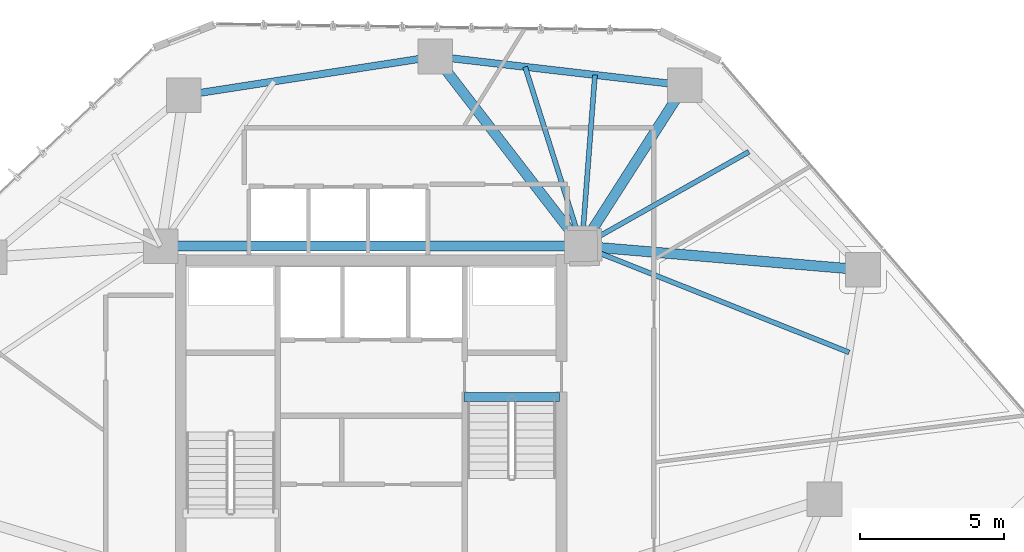
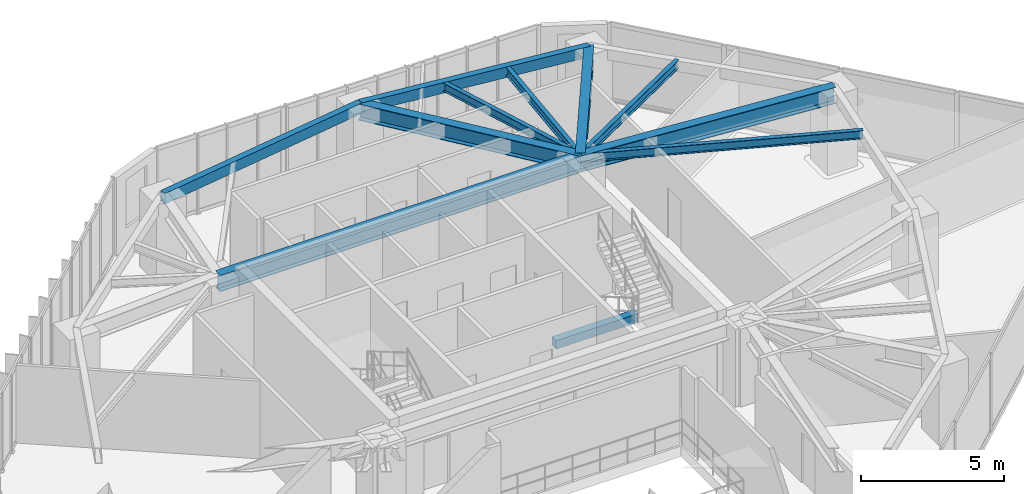
# One storey, part 11 of 22: 11 beams.
"""IFC4 building model written with IfcOpenShell, lengths in metres."""

from ifc_helpers import new_model, si_unit, direction, frame, origin, origin_2d, place, context, subcontext, project, spatial, rectangle, hollow_rectangle, i_section, extrude, material, material_profile, profile_set, type_object, element, save


model = new_model("IFC4")

# Units and contexts
model_context = context("Model", 3, precision=1e-05, world=origin(), true_north=direction((0.0, 1.0)))
body_context = subcontext(model_context, "Body", "Model", "MODEL_VIEW")
ifc_project = project(units=[si_unit("LENGTHUNIT", "METRE"), si_unit("AREAUNIT", "SQUARE_METRE"), si_unit("VOLUMEUNIT", "CUBIC_METRE"), si_unit("PLANEANGLEUNIT", "RADIAN"), si_unit("MASSUNIT", "GRAM", prefix="KILO")], contexts=[model_context])

# Site, building, storey
site_placement = place(None, origin())
site = spatial("IfcSite", under=ifc_project, at=site_placement, CompositionType="ELEMENT")
building_placement = place(site_placement, origin())
building = spatial("IfcBuilding", under=site, at=building_placement, Name="Talar Marvaseh", CompositionType="ELEMENT")
storey_placement = place(building_placement, frame((0.0, 0.0, 89.39990234375)))
storey = spatial("IfcBuildingStorey", under=building, at=storey_placement, Name="L22", CompositionType="ELEMENT", Elevation=89.39990234375)

# Beams
ifc_material_1 = material(Name="Concrete C40/50", Category="concrete")
ifc_material_profile_1 = material_profile(ifc_material_1, rectangle(XDim=0.300048828125, YDim=0.360107421875, at=origin_2d()), Name="RC300x360")
ifc_profile_set_1 = profile_set([ifc_material_profile_1], Name="Concrete C40/50")
beam_type_1 = type_object("IfcBeamType", Name="Concrete Stair Landing Trimmer Beam RC300x360", PredefinedType="SPANDREL", material=ifc_profile_set_1)
beam_1_placement = place(storey_placement, frame((29.219970703125, 31.669921875, -0.179931640625), z_axis=(1.0, 0.0, 0.0), x_axis=(0.0, 1.0, 0.0)))
element("IfcBeam", 1, at=beam_1_placement, inside=storey, type_object=beam_type_1, Name="L22 ST-2 Stair Nosing Trimmer Beam", PredefinedType="SPANDREL", context=body_context, shape_type="SweptSolid", body=[
    extrude(rectangle(XDim=0.300048828125, YDim=0.360107421875, at=origin_2d()), origin(), (0.0, 0.0, 1.0), 3.300048828125),
])
ifc_material_2 = material(Name="Steel S355", Category="steel")
ifc_material_profile_2 = material_profile(ifc_material_2, hollow_rectangle(XDim=0.25, YDim=0.449951171875, WallThickness=0.01611328125, at=origin_2d()), Name="RHS450x250x16")
ifc_profile_set_2 = profile_set([ifc_material_profile_2], Name="Steel S355")
beam_type_2 = type_object("IfcBeamType", Name="Zone 2 Perimeter Spandrel Beam RHS450x250x16", PredefinedType="SPANDREL", material=ifc_profile_set_2)
beam_2_placement = place(storey_placement, frame((19.5009765625, 42.123046875, 3.085205078125), z_axis=(0.988248879948, 0.152853365295, 0.0), x_axis=(-0.152853365295, 0.988248879948, 0.0)))
element("IfcBeam", 2, at=beam_2_placement, inside=storey, type_object=beam_type_2, Name="L22 Zone 2 Perimeter Spandrel Beam RHS450x250x16", PredefinedType="SPANDREL", context=body_context, shape_type="SweptSolid", body=[
    extrude(hollow_rectangle(XDim=0.25, YDim=0.449951171875, WallThickness=0.01611328125, at=origin_2d()), origin(), (0.0, 0.0, 1.0), 8.82470703125),
])
beam_3_placement = place(storey_placement, frame((28.221923828125, 43.471923828125, 3.085205078125), z_axis=(0.993361914569, -0.115030894474, 0.0), x_axis=(0.115030894474, 0.993361914569, 0.0)))
element("IfcBeam", 3, at=beam_3_placement, inside=storey, type_object=beam_type_2, Name="L22 Zone 2 Perimeter Spandrel Beam RHS450x250x16", PredefinedType="SPANDREL", context=body_context, shape_type="SweptSolid", body=[
    extrude(hollow_rectangle(XDim=0.25, YDim=0.449951171875, WallThickness=0.01611328125, at=origin_2d()), origin(), (0.0, 0.0, 1.0), 8.701904296875),
])
ifc_material_profile_3 = material_profile(ifc_material_2, i_section(OverallWidth=0.35498046875, OverallDepth=0.695068359375, WebThickness=0.015380859375, FlangeThickness=0.02490234375, at=origin_2d()), Name="W690x217")
ifc_profile_set_3 = profile_set([ifc_material_profile_3], Name="Steel S355")
beam_type_3 = type_object("IfcBeamType", Name="Zone 2 Radial Floor Girder W690x217", PredefinedType="BEAM", material=ifc_profile_set_3)
beam_4_placement = place(storey_placement, frame((18.699951171875, 36.89990234375, 2.962646484375), z_axis=(1.0, 0.0, 0.0), x_axis=(0.0, 1.0, 0.0)))
element("IfcBeam", 4, at=beam_4_placement, inside=storey, type_object=beam_type_3, Name="L22 Zone 2 Radial Floor Girder W690x217", PredefinedType="BEAM", context=body_context, shape_type="SweptSolid", body=[
    extrude(i_section(OverallWidth=0.35498046875, OverallDepth=0.695068359375, WebThickness=0.015380859375, FlangeThickness=0.02490234375, at=origin_2d()), origin(), (0.0, 0.0, 1.0), 14.60009765625),
])
beam_5_placement = place(storey_placement, frame((36.865966796875, 42.470947265625, 2.962646484375), z_axis=(-0.539101874952, -0.842240564461, 0.0), x_axis=(0.842240564461, -0.539101874952, 0.0)))
element("IfcBeam", 5, at=beam_5_placement, inside=storey, type_object=beam_type_3, Name="L22 Zone 2 Radial Floor Girder W690x217", PredefinedType="BEAM", context=body_context, shape_type="SweptSolid", body=[
    extrude(i_section(OverallWidth=0.35498046875, OverallDepth=0.695068359375, WebThickness=0.015380859375, FlangeThickness=0.02490234375, at=origin_2d()), origin(), (0.0, 0.0, 1.0), 6.614501953125),
])
beam_6_placement = place(storey_placement, frame((43.0439453125, 36.075927734375, 2.962646484375), z_axis=(-0.996443598923, 0.084262412527, 0.0), x_axis=(-0.084262412527, -0.996443598923, 0.0)))
element("IfcBeam", 6, at=beam_6_placement, inside=storey, type_object=beam_type_3, Name="L22 Zone 2 Radial Floor Girder W690x217", PredefinedType="BEAM", context=body_context, shape_type="SweptSolid", body=[
    extrude(i_section(OverallWidth=0.35498046875, OverallDepth=0.695068359375, WebThickness=0.015380859375, FlangeThickness=0.02490234375, at=origin_2d()), origin(), (0.0, 0.0, 1.0), 9.778564453125),
])
beam_7_placement = place(storey_placement, frame((28.221923828125, 43.471923828125, 2.962646484375), z_axis=(0.611428258763, -0.791299870079, 0.0), x_axis=(0.791299870079, 0.611428258763, 0.0)))
element("IfcBeam", 7, at=beam_7_placement, inside=storey, type_object=beam_type_3, Name="L22 Zone 2 Radial Floor Girder W690x217", PredefinedType="BEAM", context=body_context, shape_type="SweptSolid", body=[
    extrude(i_section(OverallWidth=0.35498046875, OverallDepth=0.695068359375, WebThickness=0.015380859375, FlangeThickness=0.02490234375, at=origin_2d()), origin(), (0.0, 0.0, 1.0), 8.305419921875),
])
ifc_material_profile_4 = material_profile(ifc_material_2, i_section(OverallWidth=0.172119140625, OverallDepth=0.35791015625, WebThickness=0.0078125, FlangeThickness=0.01318359375, at=origin_2d()), Name="W360x57")
ifc_profile_set_4 = profile_set([ifc_material_profile_4], Name="Steel S355")
beam_type_4 = type_object("IfcBeamType", Name="Zone 2 Secondary Floor Joist W360x57", PredefinedType="JOIST", material=ifc_profile_set_4)
beam_8_placement = place(storey_placement, frame((39.090087890625, 40.168701171875, 3.131103515625), z_axis=(-0.870809604029, -0.491620416105, 0.0), x_axis=(0.491620416105, -0.870809604029, 0.0)))
element("IfcBeam", 8, at=beam_8_placement, inside=storey, type_object=beam_type_4, Name="L22 Zone 2 Secondary Floor Joist W360x57", PredefinedType="JOIST", context=body_context, shape_type="SweptSolid", body=[
    extrude(i_section(OverallWidth=0.172119140625, OverallDepth=0.35791015625, WebThickness=0.0078125, FlangeThickness=0.01318359375, at=origin_2d()), origin(), (0.0, 0.0, 1.0), 6.64892578125),
])
beam_9_placement = place(storey_placement, frame((42.5634765625, 33.214599609375, 3.131103515625), z_axis=(-0.929169193082, 0.369654718119, 0.0), x_axis=(-0.369654718119, -0.929169193082, 0.0)))
element("IfcBeam", 9, at=beam_9_placement, inside=storey, type_object=beam_type_4, Name="L22 Zone 2 Secondary Floor Joist W360x57", PredefinedType="JOIST", context=body_context, shape_type="SweptSolid", body=[
    extrude(i_section(OverallWidth=0.172119140625, OverallDepth=0.35791015625, WebThickness=0.0078125, FlangeThickness=0.01318359375, at=origin_2d()), origin(), (0.0, 0.0, 1.0), 9.969482421875),
])
beam_10_placement = place(storey_placement, frame((31.333740234375, 43.111572265625, 3.131103515625), z_axis=(0.301791238044, -0.953374033966, 0.0), x_axis=(0.953374033966, 0.301791238044, 0.0)))
element("IfcBeam", 10, at=beam_10_placement, inside=storey, type_object=beam_type_4, Name="L22 Zone 2 Secondary Floor Joist W360x57", PredefinedType="JOIST", context=body_context, shape_type="SweptSolid", body=[
    extrude(i_section(OverallWidth=0.172119140625, OverallDepth=0.35791015625, WebThickness=0.0078125, FlangeThickness=0.01318359375, at=origin_2d()), origin(), (0.0, 0.0, 1.0), 6.515380859375),
])
beam_11_placement = place(storey_placement, frame((33.754150390625, 42.831298828125, 3.131103515625), z_axis=(-0.076335577703, -0.99708218296, 0.0), x_axis=(0.99708218296, -0.076335577703, 0.0)))
element("IfcBeam", 11, at=beam_11_placement, inside=storey, type_object=beam_type_4, Name="L22 Zone 2 Secondary Floor Joist W360x57", PredefinedType="JOIST", context=body_context, shape_type="SweptSolid", body=[
    extrude(i_section(OverallWidth=0.172119140625, OverallDepth=0.35791015625, WebThickness=0.0078125, FlangeThickness=0.01318359375, at=origin_2d()), origin(), (0.0, 0.0, 1.0), 5.94873046875),
])

save(model, "model.ifc")
